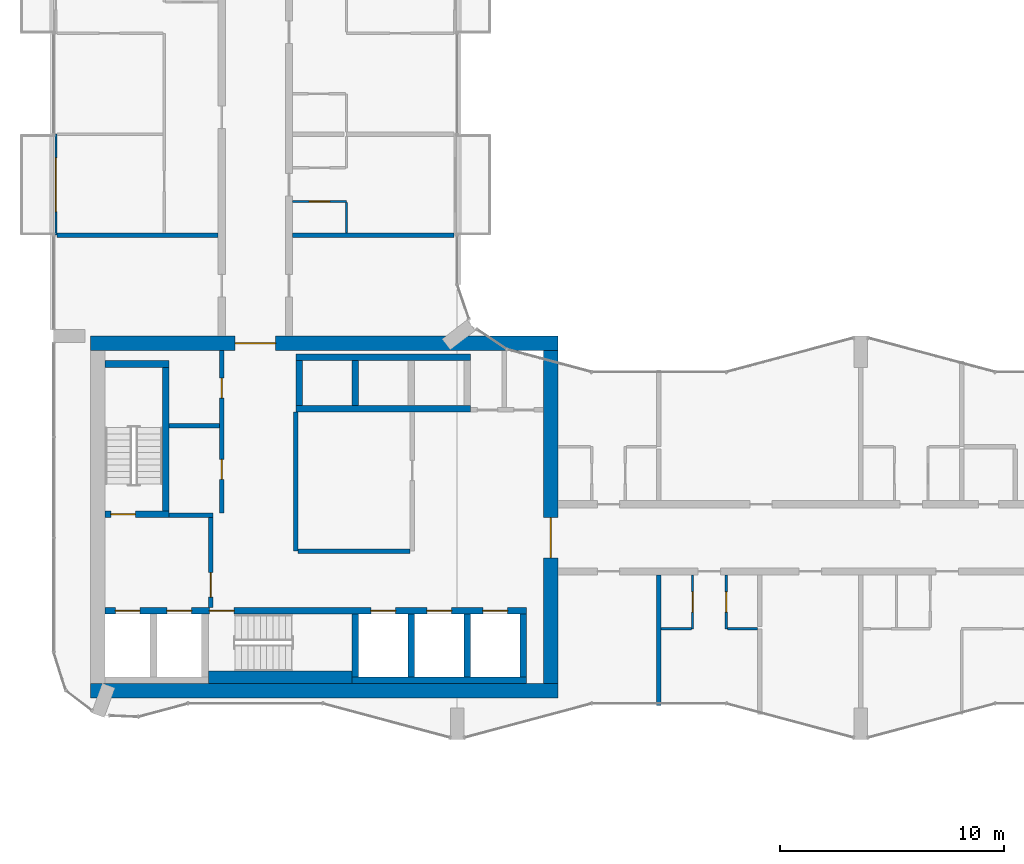
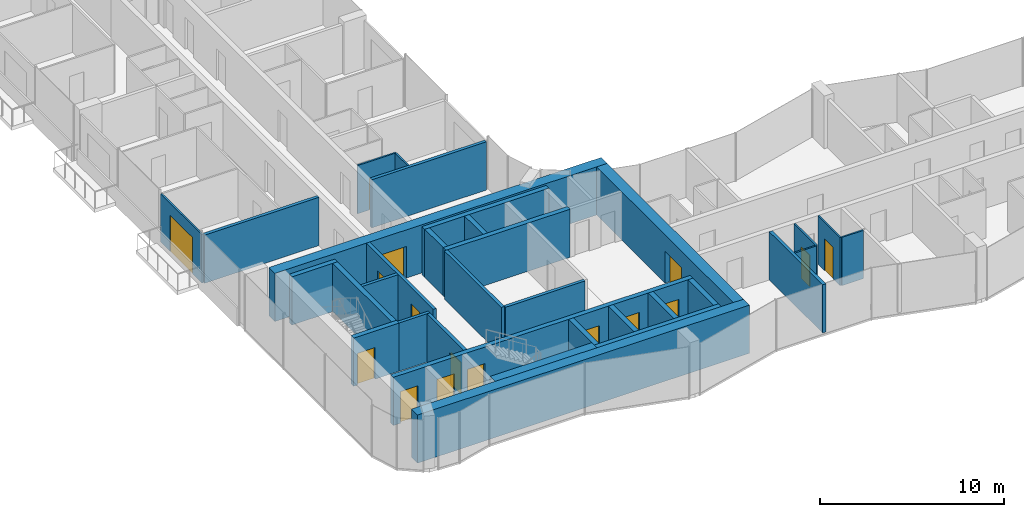
# One storey, part 11 of 19: 33 walls, 16 doors, 16 openings.
"""IFC4 building model written with IfcOpenShell, lengths in metres."""

import ifcopenshell
import ifcopenshell.guid

model = None  # the IFC model being written
_history = None  # IfcOwnerHistory: only IFC2X3 demands one
_inside = {}  # id of a spatial element -> (the spatial element, [elements in it])
_under = {}  # id of a project, library or spatial element -> (it, [spatial elements below it])
_declared = {}  # id of a project -> (the project, [libraries it declares])
_typed = {}  # id of a type object -> (the type object, [elements of that type])
_made_of = {}  # id of a material, layer set ... -> (it, [elements and type objects made of it])


def new_model(schema):
    """Start an empty IFC model of exactly this schema.

    Asked for "IFC4X3", IfcOpenShell would pick the latest addendum, in which some entities
    have other attributes; the version numbers below select the first issue.
    IFC2X3 requires an IfcOwnerHistory on every rooted entity: one is made here for all.
    """
    global model, _history
    if schema == "IFC4X3":
        model = ifcopenshell.file(schema_version=(4, 3, 0, 0))
    else:
        model = ifcopenshell.file(schema=schema)
    _inside.clear()
    _under.clear()
    _declared.clear()
    _typed.clear()
    _made_of.clear()
    _history = None
    if model.schema == "IFC2X3":
        org = make("IfcOrganization", Name="unknown")
        user = make(
            "IfcPersonAndOrganization",
            ThePerson=make("IfcPerson", FamilyName="unknown"),
            TheOrganization=org,
        )
        app = make(
            "IfcApplication",
            ApplicationDeveloper=org,
            Version="unknown",
            ApplicationFullName="unknown",
            ApplicationIdentifier="unknown",
        )
        _history = make(
            "IfcOwnerHistory",
            OwningUser=user,
            OwningApplication=app,
            ChangeAction="ADDED",
            CreationDate=0,
        )
    return model


def make(cls, **values):
    """One entity of the class cls with the attributes given. An attribute that is None is left unset."""
    return model.create_entity(
        cls, **{name: value for name, value in values.items() if value is not None}
    )


def rooted(cls, **values):
    """An entity with a GlobalId (a new one), such as an element, a storey or a relation."""
    return make(cls, GlobalId=ifcopenshell.guid.new(), OwnerHistory=_history, **values)


def si_unit(unit_type, name, prefix=None):
    """IfcSIUnit, for example si_unit("LENGTHUNIT", "METRE", prefix="MILLI")."""
    return make("IfcSIUnit", UnitType=unit_type, Prefix=prefix, Name=name)


def assignment(units):
    """IfcUnitAssignment: the units of a project."""
    return None if units is None else make("IfcUnitAssignment", Units=units)


def point(xyz):
    """IfcCartesianPoint."""
    return None if xyz is None else make("IfcCartesianPoint", Coordinates=xyz)


def direction(xyz):
    """IfcDirection."""
    return None if xyz is None else make("IfcDirection", DirectionRatios=xyz)


def frame(location, z_axis=None, x_axis=None):
    """IfcAxis2Placement3D, a coordinate frame: its origin and axes. An axis left out is left unset."""
    return make(
        "IfcAxis2Placement3D",
        Location=point(location),
        Axis=direction(z_axis),
        RefDirection=direction(x_axis),
    )


def frame_2d(location, x_axis=None):
    """IfcAxis2Placement2D, a coordinate frame in the plane: its origin and x axis."""
    return make(
        "IfcAxis2Placement2D", Location=point(location), RefDirection=direction(x_axis)
    )


def origin():
    """The frame at (0, 0, 0) with its axes left unset."""
    return frame((0.0, 0.0, 0.0))


def place(relative_to, where):
    """IfcLocalPlacement: puts the frame where relative to a parent placement (None: the world)."""
    return make(
        "IfcLocalPlacement", PlacementRelTo=relative_to, RelativePlacement=where
    )


def context(
    kind, dimensions, precision=None, world=None, true_north=None, identifier=None
):
    """IfcGeometricRepresentationContext, for example the 3D "Model" context."""
    return make(
        "IfcGeometricRepresentationContext",
        ContextIdentifier=identifier,
        ContextType=kind,
        CoordinateSpaceDimension=dimensions,
        Precision=precision,
        WorldCoordinateSystem=world,
        TrueNorth=true_north,
    )


def subcontext(parent, identifier, kind, view, scale=None):
    """IfcGeometricRepresentationSubContext, for example "Body" below "Model"."""
    return make(
        "IfcGeometricRepresentationSubContext",
        ContextIdentifier=identifier,
        ContextType=kind,
        ParentContext=parent,
        TargetScale=scale,
        TargetView=view,
    )


def project(units=None, contexts=None):
    """IfcProject with its units and contexts."""
    return rooted(
        "IfcProject",
        Name="project",
        RepresentationContexts=contexts,
        UnitsInContext=assignment(units),
    )


def spatial(cls, under=None, at=None, **own):
    """A site, building, storey or space (cls), placed at a placement, below another one or the project."""
    s = rooted(cls, ObjectPlacement=at, **own)
    if under is not None:
        _under.setdefault(under.id(), (under, []))[1].append(s)
    return s


def profile(cls, at=None, kind="AREA", **sizes):
    """A parametric profile (cls). Its sizes go by their IFC names, for example OverallWidth=200.0."""
    return make(cls, ProfileType=kind, Position=at, **sizes)


def rectangle(**sizes):
    """IfcRectangleProfileDef."""
    return profile("IfcRectangleProfileDef", **sizes)


def extrude(swept, where, along, depth):
    """IfcExtrudedAreaSolid: the profile swept, set in the frame where, extruded along a direction by depth."""
    return make(
        "IfcExtrudedAreaSolid",
        SweptArea=swept,
        Position=where,
        ExtrudedDirection=direction(along),
        Depth=depth,
    )


def shape(context_of_items, identifier, shape_type, items):
    """IfcShapeRepresentation: the items that make up one representation, for example the "Body"."""
    return make(
        "IfcShapeRepresentation",
        ContextOfItems=context_of_items,
        RepresentationIdentifier=identifier,
        RepresentationType=shape_type,
        Items=items,
    )


def material(Name=None, Category=None):
    """IfcMaterial."""
    return make("IfcMaterial", Name=Name, Category=Category)


def layer(
    of_material, thickness, ventilated=None, Name=None, Category=None, Priority=None
):
    """IfcMaterialLayer: one layer of a wall or slab, of a material (None: an air gap)."""
    return make(
        "IfcMaterialLayer",
        Material=of_material,
        LayerThickness=thickness,
        IsVentilated=ventilated,
        Name=Name,
        Category=Category,
        Priority=Priority,
    )


def layer_set(layers, Name=None):
    """IfcMaterialLayerSet."""
    return make("IfcMaterialLayerSet", MaterialLayers=layers, LayerSetName=Name)


def made_of(thing, what):
    """Note that an element or type object is made of a material, layer set ...; save() writes the relation."""
    if what is not None:
        _made_of.setdefault(what.id(), (what, []))[1].append(thing)
    return thing


def type_object(cls, material=None, **own):
    """A type object (cls), such as IfcWallType, which elements share."""
    return made_of(rooted(cls, **own), material)


def element(
    cls,
    number,
    at=None,
    inside=None,
    cuts=None,
    type_object=None,
    material=None,
    context=None,
    identifier="Body",
    shape_type=None,
    held_by="IfcProductDefinitionShape",
    body=None,
    shapes=None,
    **own,
):
    """One element of the class cls, such as IfcWall. Its Tag is "e" and its number.

    at: its placement. inside: the storey or other place that contains it. cuts: it is an
    opening in that element (IfcRelVoidsElement). A single representation is given by context,
    identifier, shape_type and body (its items); several are given by shapes. held_by: the class
    of the entity that holds the representations. save() writes the other relations.
    """
    e = rooted(cls, Tag="e%d" % number, ObjectPlacement=at, **own)
    if body is not None:
        shapes = [shape(context, identifier, shape_type, body)]
    if shapes is not None:
        e.Representation = make(held_by, Representations=shapes)
    if inside is not None:
        _inside.setdefault(inside.id(), (inside, []))[1].append(e)
    if cuts is not None:
        rooted(
            "IfcRelVoidsElement", RelatingBuildingElement=cuts, RelatedOpeningElement=e
        )
    if type_object is not None:
        _typed.setdefault(type_object.id(), (type_object, []))[1].append(e)
    return made_of(e, material)


def fill(opening, filler):
    """IfcRelFillsElement: the door or window that sits in an opening."""
    return rooted(
        "IfcRelFillsElement",
        RelatingOpeningElement=opening,
        RelatedBuildingElement=filler,
    )


def aggregate(whole, parts):
    """IfcRelAggregates: a whole, such as a stair, and the parts it consists of."""
    return rooted("IfcRelAggregates", RelatingObject=whole, RelatedObjects=parts)


def save(model, path):
    """Write the relations noted so far, then the file.

    IfcRelAggregates (storeys below a building ...), IfcRelContainedInSpatialStructure (elements
    in a storey), IfcRelDefinesByType, IfcRelAssociatesMaterial and IfcRelDeclares: one each for
    every whole, place, type object, material and project.
    """
    for whole, parts in _under.values():
        aggregate(whole, parts)
    for where, things in _inside.values():
        rooted(
            "IfcRelContainedInSpatialStructure",
            RelatedElements=things,
            RelatingStructure=where,
        )
    for kind, things in _typed.values():
        rooted("IfcRelDefinesByType", RelatedObjects=things, RelatingType=kind)
    for what, things in _made_of.values():
        rooted("IfcRelAssociatesMaterial", RelatedObjects=things, RelatingMaterial=what)
    for by, libraries in _declared.values():
        rooted("IfcRelDeclares", RelatingContext=by, RelatedDefinitions=libraries)
    model.write(path)


model = new_model("IFC4")

# Units and contexts
model_context = context("Model", 3, precision=1e-05, world=origin(), true_north=direction((0.0, 1.0)))
body_context = subcontext(model_context, "Body", "Model", "MODEL_VIEW")
ifc_project = project(units=[si_unit("LENGTHUNIT", "METRE"), si_unit("AREAUNIT", "SQUARE_METRE"), si_unit("VOLUMEUNIT", "CUBIC_METRE"), si_unit("PLANEANGLEUNIT", "RADIAN"), si_unit("MASSUNIT", "GRAM", prefix="KILO")], contexts=[model_context])

# Site, building, storey
site_placement = place(None, origin())
site = spatial("IfcSite", under=ifc_project, at=site_placement, CompositionType="ELEMENT")
building_placement = place(site_placement, origin())
building = spatial("IfcBuilding", under=site, at=building_placement, Name="Plateau Cross Towers", CompositionType="ELEMENT")
storey_placement = place(building_placement, frame((0.0, 0.0, 120.300048828125)))
storey = spatial("IfcBuildingStorey", under=building, at=storey_placement, Name="L31", CompositionType="ELEMENT", Elevation=120.300048828125)

# Wall, opening, door
ifc_material_1 = material(Name="Aluminium framed glazing", Category="aluminium")
ifc_layer_1 = layer(ifc_material_1, 0.10009765625)
ifc_layer_set_1 = layer_set([ifc_layer_1], Name="Aluminium framed glazing")
wall_type_1 = type_object("IfcWallType", Name="Balcony screen wall 100", PredefinedType="STANDARD", material=ifc_layer_set_1)
wall_1_placement = place(storey_placement, frame((0.10009765625, 22.5, 0.0), z_axis=(0.0, 0.0, 1.0), x_axis=(0.0, 1.0, 0.0)))
wall_1 = element("IfcWall", 1, at=wall_1_placement, inside=storey, type_object=wall_type_1, Name="Balcony screen wall A-BAL-L31-01", PredefinedType="STANDARD", context=body_context, shape_type="SweptSolid", body=[
    extrude(rectangle(XDim=4.5, YDim=0.10009765625, at=frame_2d((2.25, 0.0))), origin(), (0.0, 0.0, 1.0), 3.199951171875),
])
opening_1_placement = place(wall_1_placement, frame((1.050048828125, 0.0, 0.0)))
opening_1 = element("IfcOpeningElement", 2, at=opening_1_placement, cuts=wall_1, Name="Opening D-B24", PredefinedType="OPENING", context=body_context, shape_type="SweptSolid", body=[
    extrude(rectangle(XDim=2.39990234375, YDim=2.39990234375, at=frame_2d((1.199951171875, 1.199951171875))), frame((0.0, 0.06005859375, 0.0), z_axis=(0.0, -1.0, 0.0), x_axis=(1.0, 0.0, 0.0)), (0.0, 0.0, 1.0), 0.1201171875),
])
ifc_material_2 = material(Name="Aluminium frame, double glazing", Category="aluminium")
door_type_1 = type_object("IfcDoorType", Name="Balcony sliding door 2400", OperationType="NOTDEFINED", PredefinedType="DOOR", material=ifc_material_2)
door_1_placement = place(opening_1_placement, origin())
door_1 = element("IfcDoor", 3, at=door_1_placement, inside=storey, type_object=door_type_1, Name="Balcony door A-BAL-L31-01", OperationType="SINGLE_SWING_LEFT", OverallHeight=2.39990234375, OverallWidth=2.39990234375, PredefinedType="DOOR", context=body_context, shape_type="SweptSolid", body=[
    extrude(rectangle(XDim=2.39990234375, YDim=2.39990234375, at=frame_2d((1.199951171875, 1.199951171875))), frame((0.0, 0.02490234375, 0.0), z_axis=(0.0, -1.0, 0.0), x_axis=(1.0, 0.0, 0.0)), (0.0, 0.0, 1.0), 0.050048828125),
])
fill(opening_1, door_1)

ifc_material_3 = material(Name="Concrete block, plastered both sides", Category="concrete")
ifc_layer_2 = layer(ifc_material_3, 0.199951171875)
ifc_layer_set_2 = layer_set([ifc_layer_2], Name="Concrete block, plastered both sides")
wall_type_2 = type_object("IfcWallType", Name="Core partition 200", PredefinedType="PARTITIONING", material=ifc_layer_set_2)
wall_2_placement = place(storey_placement, frame((7.0, 5.89990234375, 0.0), z_axis=(0.0, 0.0, 1.0), x_axis=(0.0, 1.0, 0.0)))
wall_2 = element("IfcWall", 4, at=wall_2_placement, inside=storey, type_object=wall_type_2, Name="Core partition", PredefinedType="PARTITIONING", context=body_context, shape_type="SweptSolid", body=[
    extrude(rectangle(XDim=4.0, YDim=0.199951171875, at=frame_2d((2.0, 0.0))), origin(), (0.0, 0.0, 1.0), 3.199951171875),
])
opening_2_placement = place(wall_2_placement, frame((0.449951171875, 0.0, 0.0)))
opening_2 = element("IfcOpeningElement", 5, at=opening_2_placement, cuts=wall_2, Name="Opening FFD", PredefinedType="OPENING", context=body_context, shape_type="SweptSolid", body=[
    extrude(rectangle(XDim=1.10009765625, YDim=2.10009765625, at=frame_2d((0.550048828125, 1.050048828125))), frame((0.0, 0.10986328125, 0.0), z_axis=(0.0, -1.0, 0.0), x_axis=(1.0, 0.0, 0.0)), (0.0, 0.0, 1.0), 0.219970703125),
])
ifc_material_4 = material(Name="Steel, fire-resisting leaf", Category="steel")
door_type_2 = type_object("IfcDoorType", Name="Firefighting lobby door 1100", OperationType="NOTDEFINED", PredefinedType="DOOR", material=ifc_material_4)
door_2_placement = place(opening_2_placement, origin())
door_2 = element("IfcDoor", 6, at=door_2_placement, inside=storey, type_object=door_type_2, Name="Firefighting lobby door FFD", OperationType="SINGLE_SWING_LEFT", OverallHeight=2.10009765625, OverallWidth=1.10009765625, PredefinedType="DOOR", context=body_context, shape_type="SweptSolid", body=[
    extrude(rectangle(XDim=1.10009765625, YDim=2.10009765625, at=frame_2d((0.550048828125, 1.050048828125))), frame((0.0, 0.02490234375, 0.0), z_axis=(0.0, -1.0, 0.0), x_axis=(1.0, 0.0, 0.0)), (0.0, 0.0, 1.0), 0.050048828125),
])
fill(opening_2, door_2)

# Walls
wall_3_placement = place(storey_placement, frame((5.14990234375, 10.0, 0.0), z_axis=(0.0, 0.0, 1.0), x_axis=(1.0, 0.0, 0.0)))
element("IfcWall", 7, at=wall_3_placement, inside=storey, type_object=wall_type_2, Name="Core partition", PredefinedType="PARTITIONING", context=body_context, shape_type="SweptSolid", body=[
    extrude(rectangle(XDim=1.9501953125, YDim=0.199951171875, at=frame_2d((0.97509765625, 0.0))), origin(), (0.0, 0.0, 1.0), 3.199951171875),
])
wall_4_placement = place(storey_placement, frame((10.800048828125, 8.39990234375, 0.0), z_axis=(0.0, 0.0, 1.0), x_axis=(0.0, 1.0, 0.0)))
element("IfcWall", 8, at=wall_4_placement, inside=storey, type_object=wall_type_2, Name="Core partition", PredefinedType="PARTITIONING", context=body_context, shape_type="SweptSolid", body=[
    extrude(rectangle(XDim=6.2001953125, YDim=0.199951171875, at=frame_2d((3.10009765625, 0.0))), origin(), (0.0, 0.0, 1.0), 3.199951171875),
])
wall_5_placement = place(storey_placement, frame((10.89990234375, 8.39990234375, 0.0), z_axis=(0.0, 0.0, 1.0), x_axis=(1.0, 0.0, 0.0)))
element("IfcWall", 9, at=wall_5_placement, inside=storey, type_object=wall_type_2, Name="Core partition", PredefinedType="PARTITIONING", context=body_context, shape_type="SweptSolid", body=[
    extrude(rectangle(XDim=5.0, YDim=0.199951171875, at=frame_2d((2.5, 0.0))), origin(), (0.0, 0.0, 1.0), 3.199951171875),
])

# Wall, openings, doors
wall_6_placement = place(storey_placement, frame((7.5, 10.10009765625, 0.0), z_axis=(0.0, 0.0, 1.0), x_axis=(0.0, 1.0, 0.0)))
wall_6 = element("IfcWall", 10, at=wall_6_placement, inside=storey, type_object=wall_type_2, Name="Core partition", PredefinedType="PARTITIONING", context=body_context, shape_type="SweptSolid", body=[
    extrude(rectangle(XDim=7.25, YDim=0.199951171875, at=frame_2d((3.625, 0.0))), origin(), (0.0, 0.0, 1.0), 3.199951171875),
])
opening_3_placement = place(wall_6_placement, frame((1.5, 0.0, 0.0)))
opening_3 = element("IfcOpeningElement", 11, at=opening_3_placement, cuts=wall_6, Name="Opening RD1", PredefinedType="OPENING", context=body_context, shape_type="SweptSolid", body=[
    extrude(rectangle(XDim=0.89990234375, YDim=2.10009765625, at=frame_2d((0.449951171875, 1.050048828125))), frame((0.0, 0.10986328125, 0.0), z_axis=(0.0, -1.0, 0.0), x_axis=(1.0, 0.0, 0.0)), (0.0, 0.0, 1.0), 0.219970703125),
])
opening_4_placement = place(wall_6_placement, frame((5.125, 0.0, 0.0)))
opening_4 = element("IfcOpeningElement", 12, at=opening_4_placement, cuts=wall_6, Name="Opening RD1", PredefinedType="OPENING", context=body_context, shape_type="SweptSolid", body=[
    extrude(rectangle(XDim=0.89990234375, YDim=2.10009765625, at=frame_2d((0.449951171875, 1.050048828125))), frame((0.0, 0.10986328125, 0.0), z_axis=(0.0, -1.0, 0.0), x_axis=(1.0, 0.0, 0.0)), (0.0, 0.0, 1.0), 0.219970703125),
])
ifc_material_5 = material(Name="Timber, fire-resisting leaf", Category="wood")
door_type_3 = type_object("IfcDoorType", Name="Core service door 900", OperationType="NOTDEFINED", PredefinedType="DOOR", material=ifc_material_5)
door_3_placement = place(opening_3_placement, origin())
door_3 = element("IfcDoor", 13, at=door_3_placement, inside=storey, type_object=door_type_3, Name="Core service door RD1", OperationType="SINGLE_SWING_RIGHT", OverallHeight=2.10009765625, OverallWidth=0.89990234375, PredefinedType="DOOR", context=body_context, shape_type="SweptSolid", body=[
    extrude(rectangle(XDim=0.89990234375, YDim=2.10009765625, at=frame_2d((0.449951171875, 1.050048828125))), frame((0.0, 0.02490234375, 0.0), z_axis=(0.0, -1.0, 0.0), x_axis=(1.0, 0.0, 0.0)), (0.0, 0.0, 1.0), 0.050048828125),
])
fill(opening_3, door_3)
door_4_placement = place(opening_4_placement, origin())
door_4 = element("IfcDoor", 14, at=door_4_placement, inside=storey, type_object=door_type_3, Name="Core service door RD1", OperationType="SINGLE_SWING_RIGHT", OverallHeight=2.10009765625, OverallWidth=0.89990234375, PredefinedType="DOOR", context=body_context, shape_type="SweptSolid", body=[
    extrude(rectangle(XDim=0.89990234375, YDim=2.10009765625, at=frame_2d((0.449951171875, 1.050048828125))), frame((0.0, 0.02490234375, 0.0), z_axis=(0.0, -1.0, 0.0), x_axis=(1.0, 0.0, 0.0)), (0.0, 0.0, 1.0), 0.050048828125),
])
fill(opening_4, door_4)

# Walls
wall_7_placement = place(storey_placement, frame((5.14990234375, 14.0, 0.0), z_axis=(0.0, 0.0, 1.0), x_axis=(1.0, 0.0, 0.0)))
element("IfcWall", 15, at=wall_7_placement, inside=storey, type_object=wall_type_2, Name="Core partition", PredefinedType="PARTITIONING", context=body_context, shape_type="SweptSolid", body=[
    extrude(rectangle(XDim=2.25, YDim=0.199951171875, at=frame_2d((1.125, 0.0))), origin(), (0.0, 0.0, 1.0), 3.199951171875),
])
ifc_material_6 = material(Name="Concrete C60/75", Category="concrete")
ifc_layer_3 = layer(ifc_material_6, 0.300048828125)
ifc_layer_set_3 = layer_set([ifc_layer_3], Name="Concrete C60/75")
wall_type_3 = type_object("IfcWallType", Name="Core shaft wall 300", PredefinedType="SHEAR", material=ifc_layer_set_3)
wall_8_placement = place(storey_placement, frame((13.300048828125, 2.64990234375, 0.0), z_axis=(0.0, 0.0, 1.0), x_axis=(1.0, 0.0, 0.0)))
element("IfcWall", 16, at=wall_8_placement, inside=storey, type_object=wall_type_3, Name="A-sb-back3@L31", PredefinedType="SHEAR", context=body_context, shape_type="SweptSolid", body=[
    extrude(rectangle(XDim=7.800048828125, YDim=0.300048828125, at=frame_2d((3.89990234375, 0.0))), origin(), (0.0, 0.0, 1.0), 3.199951171875),
])
for number, where, z_axis, x_axis, name in (
    (17, (13.449951171875, 2.800048828125, 0.0), (0.0, 0.0, 1.0), (0.0, 1.0, 0.0), "A-sb-v3@L31"),
    (18, (15.949951171875, 2.800048828125, 0.0), (0.0, 0.0, 1.0), (0.0, 1.0, 0.0), "A-sb-v4@L31"),
    (19, (18.449951171875, 2.800048828125, 0.0), (0.0, 0.0, 1.0), (0.0, 1.0, 0.0), "A-sb-v5@L31"),
    (20, (20.949951171875, 2.800048828125, 0.0), (0.0, 0.0, 1.0), (0.0, 1.0, 0.0), "A-sb-v6@L31"),
):
    element("IfcWall", number, at=place(storey_placement, frame(where, z_axis=z_axis, x_axis=x_axis)), inside=storey, type_object=wall_type_3, Name=name, PredefinedType="SHEAR", context=body_context, shape_type="SweptSolid", body=[
        extrude(rectangle(XDim=2.800048828125, YDim=0.300048828125, at=frame_2d((1.39990234375, 0.0))), origin(), (0.0, 0.0, 1.0), 3.199951171875),
    ])

# Wall, openings, doors
wall_9_placement = place(storey_placement, frame((2.300048828125, 5.75, 0.0), z_axis=(0.0, 0.0, 1.0), x_axis=(1.0, 0.0, 0.0)))
wall_9 = element("IfcWall", 21, at=wall_9_placement, inside=storey, type_object=wall_type_3, Name="A-sb-front@L31", PredefinedType="SHEAR", context=body_context, shape_type="SweptSolid", body=[
    extrude(rectangle(XDim=18.800048828125, YDim=0.300048828125, at=frame_2d((9.39990234375, 0.0))), origin(), (0.0, 0.0, 1.0), 3.199951171875),
])
opening_5_placement = place(wall_9_placement, frame((4.64990234375, 0.0, 0.0)))
opening_5 = element("IfcOpeningElement", 22, at=opening_5_placement, cuts=wall_9, Name="Opening SD", PredefinedType="OPENING", context=body_context, shape_type="SweptSolid", body=[
    extrude(rectangle(XDim=1.10009765625, YDim=2.10009765625, at=frame_2d((0.550048828125, 1.050048828125))), frame((0.0, 0.159912109375, 0.0), z_axis=(0.0, -1.0, 0.0), x_axis=(1.0, 0.0, 0.0)), (0.0, 0.0, 1.0), 0.320068359375),
])
opening_6_placement = place(wall_9_placement, frame((0.449951171875, 0.0, 0.0)))
opening_6 = element("IfcOpeningElement", 23, at=opening_6_placement, cuts=wall_9, Name="Opening LD", PredefinedType="OPENING", context=body_context, shape_type="SweptSolid", body=[
    extrude(rectangle(XDim=1.10009765625, YDim=2.10009765625, at=frame_2d((0.550048828125, 1.050048828125))), frame((0.0, 0.159912109375, 0.0), z_axis=(0.0, -1.0, 0.0), x_axis=(1.0, 0.0, 0.0)), (0.0, 0.0, 1.0), 0.320068359375),
])
opening_7_placement = place(wall_9_placement, frame((2.75, 0.0, 0.0)))
opening_7 = element("IfcOpeningElement", 24, at=opening_7_placement, cuts=wall_9, Name="Opening LD", PredefinedType="OPENING", context=body_context, shape_type="SweptSolid", body=[
    extrude(rectangle(XDim=1.10009765625, YDim=2.10009765625, at=frame_2d((0.550048828125, 1.050048828125))), frame((0.0, 0.159912109375, 0.0), z_axis=(0.0, -1.0, 0.0), x_axis=(1.0, 0.0, 0.0)), (0.0, 0.0, 1.0), 0.320068359375),
])
opening_8_placement = place(wall_9_placement, frame((11.85009765625, 0.0, 0.0)))
opening_8 = element("IfcOpeningElement", 25, at=opening_8_placement, cuts=wall_9, Name="Opening LD", PredefinedType="OPENING", context=body_context, shape_type="SweptSolid", body=[
    extrude(rectangle(XDim=1.10009765625, YDim=2.10009765625, at=frame_2d((0.550048828125, 1.050048828125))), frame((0.0, 0.159912109375, 0.0), z_axis=(0.0, -1.0, 0.0), x_axis=(1.0, 0.0, 0.0)), (0.0, 0.0, 1.0), 0.320068359375),
])
opening_9_placement = place(wall_9_placement, frame((14.35009765625, 0.0, 0.0)))
opening_9 = element("IfcOpeningElement", 26, at=opening_9_placement, cuts=wall_9, Name="Opening LD", PredefinedType="OPENING", context=body_context, shape_type="SweptSolid", body=[
    extrude(rectangle(XDim=1.10009765625, YDim=2.10009765625, at=frame_2d((0.550048828125, 1.050048828125))), frame((0.0, 0.159912109375, 0.0), z_axis=(0.0, -1.0, 0.0), x_axis=(1.0, 0.0, 0.0)), (0.0, 0.0, 1.0), 0.320068359375),
])
opening_10_placement = place(wall_9_placement, frame((16.85009765625, 0.0, 0.0)))
opening_10 = element("IfcOpeningElement", 27, at=opening_10_placement, cuts=wall_9, Name="Opening LD", PredefinedType="OPENING", context=body_context, shape_type="SweptSolid", body=[
    extrude(rectangle(XDim=1.10009765625, YDim=2.10009765625, at=frame_2d((0.550048828125, 1.050048828125))), frame((0.0, 0.159912109375, 0.0), z_axis=(0.0, -1.0, 0.0), x_axis=(1.0, 0.0, 0.0)), (0.0, 0.0, 1.0), 0.320068359375),
])
ifc_material_7 = material(Name="Stainless steel, fire-resisting sliding leaves", Category="steel")
door_type_4 = type_object("IfcDoorType", Name="Lift landing door 1100", OperationType="NOTDEFINED", PredefinedType="DOOR", material=ifc_material_7)
door_5_placement = place(opening_6_placement, origin())
door_5 = element("IfcDoor", 28, at=door_5_placement, inside=storey, type_object=door_type_4, Name="Lift landing door LD", OperationType="DOUBLE_DOOR_SLIDING", OverallHeight=2.10009765625, OverallWidth=1.10009765625, PredefinedType="DOOR", context=body_context, shape_type="SweptSolid", body=[
    extrude(rectangle(XDim=1.10009765625, YDim=2.10009765625, at=frame_2d((0.550048828125, 1.050048828125))), frame((0.0, 0.02490234375, 0.0), z_axis=(0.0, -1.0, 0.0), x_axis=(1.0, 0.0, 0.0)), (0.0, 0.0, 1.0), 0.050048828125),
])
fill(opening_6, door_5)
door_6_placement = place(opening_7_placement, origin())
door_6 = element("IfcDoor", 29, at=door_6_placement, inside=storey, type_object=door_type_4, Name="Lift landing door LD", OperationType="DOUBLE_DOOR_SLIDING", OverallHeight=2.10009765625, OverallWidth=1.10009765625, PredefinedType="DOOR", context=body_context, shape_type="SweptSolid", body=[
    extrude(rectangle(XDim=1.10009765625, YDim=2.10009765625, at=frame_2d((0.550048828125, 1.050048828125))), frame((0.0, 0.02490234375, 0.0), z_axis=(0.0, -1.0, 0.0), x_axis=(1.0, 0.0, 0.0)), (0.0, 0.0, 1.0), 0.050048828125),
])
fill(opening_7, door_6)
door_7_placement = place(opening_8_placement, origin())
door_7 = element("IfcDoor", 30, at=door_7_placement, inside=storey, type_object=door_type_4, Name="Lift landing door LD", OperationType="DOUBLE_DOOR_SLIDING", OverallHeight=2.10009765625, OverallWidth=1.10009765625, PredefinedType="DOOR", context=body_context, shape_type="SweptSolid", body=[
    extrude(rectangle(XDim=1.10009765625, YDim=2.10009765625, at=frame_2d((0.550048828125, 1.050048828125))), frame((0.0, 0.02490234375, 0.0), z_axis=(0.0, -1.0, 0.0), x_axis=(1.0, 0.0, 0.0)), (0.0, 0.0, 1.0), 0.050048828125),
])
fill(opening_8, door_7)
door_8_placement = place(opening_9_placement, origin())
door_8 = element("IfcDoor", 31, at=door_8_placement, inside=storey, type_object=door_type_4, Name="Lift landing door LD", OperationType="DOUBLE_DOOR_SLIDING", OverallHeight=2.10009765625, OverallWidth=1.10009765625, PredefinedType="DOOR", context=body_context, shape_type="SweptSolid", body=[
    extrude(rectangle(XDim=1.10009765625, YDim=2.10009765625, at=frame_2d((0.550048828125, 1.050048828125))), frame((0.0, 0.02490234375, 0.0), z_axis=(0.0, -1.0, 0.0), x_axis=(1.0, 0.0, 0.0)), (0.0, 0.0, 1.0), 0.050048828125),
])
fill(opening_9, door_8)
door_9_placement = place(opening_10_placement, origin())
door_9 = element("IfcDoor", 32, at=door_9_placement, inside=storey, type_object=door_type_4, Name="Lift landing door LD", OperationType="DOUBLE_DOOR_SLIDING", OverallHeight=2.10009765625, OverallWidth=1.10009765625, PredefinedType="DOOR", context=body_context, shape_type="SweptSolid", body=[
    extrude(rectangle(XDim=1.10009765625, YDim=2.10009765625, at=frame_2d((0.550048828125, 1.050048828125))), frame((0.0, 0.02490234375, 0.0), z_axis=(0.0, -1.0, 0.0), x_axis=(1.0, 0.0, 0.0)), (0.0, 0.0, 1.0), 0.050048828125),
])
fill(opening_10, door_9)
door_type_5 = type_object("IfcDoorType", Name="Stair door 1100", OperationType="NOTDEFINED", PredefinedType="DOOR", material=ifc_material_4)
door_10_placement = place(opening_5_placement, origin())
door_10 = element("IfcDoor", 33, at=door_10_placement, inside=storey, type_object=door_type_5, Name="Stair door SD", OperationType="SINGLE_SWING_LEFT", OverallHeight=2.10009765625, OverallWidth=1.10009765625, PredefinedType="DOOR", context=body_context, shape_type="SweptSolid", body=[
    extrude(rectangle(XDim=1.10009765625, YDim=2.10009765625, at=frame_2d((0.550048828125, 1.050048828125))), frame((0.0, 0.02490234375, 0.0), z_axis=(0.0, -1.0, 0.0), x_axis=(1.0, 0.0, 0.0)), (0.0, 0.0, 1.0), 0.050048828125),
])
fill(opening_5, door_10)

# Wall, opening, door
wall_10_placement = place(storey_placement, frame((2.300048828125, 10.050048828125, 0.0), z_axis=(0.0, 0.0, 1.0), x_axis=(1.0, 0.0, 0.0)))
wall_10 = element("IfcWall", 34, at=wall_10_placement, inside=storey, type_object=wall_type_3, Name="A-st1-S@L31", PredefinedType="SHEAR", context=body_context, shape_type="SweptSolid", body=[
    extrude(rectangle(XDim=2.849853515625, YDim=0.300048828125, at=frame_2d((1.4248046875, 0.0))), origin(), (0.0, 0.0, 1.0), 3.199951171875),
])
opening_11_placement = place(wall_10_placement, frame((0.25, 0.0, 0.0)))
opening_11 = element("IfcOpeningElement", 35, at=opening_11_placement, cuts=wall_10, Name="Opening SD", PredefinedType="OPENING", context=body_context, shape_type="SweptSolid", body=[
    extrude(rectangle(XDim=1.10009765625, YDim=2.10009765625, at=frame_2d((0.550048828125, 1.050048828125))), frame((0.0, 0.159912109375, 0.0), z_axis=(0.0, -1.0, 0.0), x_axis=(1.0, 0.0, 0.0)), (0.0, 0.0, 1.0), 0.320068359375),
])
door_11_placement = place(opening_11_placement, origin())
door_11 = element("IfcDoor", 36, at=door_11_placement, inside=storey, type_object=door_type_5, Name="Stair door SD", OperationType="SINGLE_SWING_RIGHT", OverallHeight=2.10009765625, OverallWidth=1.10009765625, PredefinedType="DOOR", context=body_context, shape_type="SweptSolid", body=[
    extrude(rectangle(XDim=1.10009765625, YDim=2.10009765625, at=frame_2d((0.550048828125, 1.050048828125))), frame((0.0, 0.02490234375, 0.0), z_axis=(0.0, -1.0, 0.0), x_axis=(1.0, 0.0, 0.0)), (0.0, 0.0, 1.0), 0.050048828125),
])
fill(opening_11, door_11)

# Walls
wall_11_placement = place(storey_placement, frame((5.0, 10.199951171875, 0.0), z_axis=(0.0, 0.0, 1.0), x_axis=(0.0, 1.0, 0.0)))
element("IfcWall", 37, at=wall_11_placement, inside=storey, type_object=wall_type_3, Name="A-st1-E@L31", PredefinedType="SHEAR", context=body_context, shape_type="SweptSolid", body=[
    extrude(rectangle(XDim=6.400146484375, YDim=0.300048828125, at=frame_2d((3.2001953125, 0.0))), origin(), (0.0, 0.0, 1.0), 3.199951171875),
])
wall_12_placement = place(storey_placement, frame((2.300048828125, 16.75, 0.0), z_axis=(0.0, 0.0, 1.0), x_axis=(1.0, 0.0, 0.0)))
element("IfcWall", 38, at=wall_12_placement, inside=storey, type_object=wall_type_3, Name="A-st1-N@L31", PredefinedType="SHEAR", context=body_context, shape_type="SweptSolid", body=[
    extrude(rectangle(XDim=2.849853515625, YDim=0.300048828125, at=frame_2d((1.4248046875, 0.0))), origin(), (0.0, 0.0, 1.0), 3.199951171875),
])
for number, where, z_axis, x_axis, name in (
    (39, (10.800048828125, 17.050048828125, 0.0), (0.0, 0.0, 1.0), (1.0, 0.0, 0.0), "A-nb-back@L31"),
    (40, (10.800048828125, 14.75, 0.0), (0.0, 0.0, 1.0), (1.0, 0.0, 0.0), "A-nb-front@L31"),
):
    element("IfcWall", number, at=place(storey_placement, frame(where, z_axis=z_axis, x_axis=x_axis)), inside=storey, type_object=wall_type_3, Name=name, PredefinedType="SHEAR", context=body_context, shape_type="SweptSolid", body=[
        extrude(rectangle(XDim=7.800048828125, YDim=0.300048828125, at=frame_2d((3.89990234375, 0.0))), origin(), (0.0, 0.0, 1.0), 3.199951171875),
    ])
for number, where, z_axis, x_axis, name in (
    (41, (10.949951171875, 14.89990234375, 0.0), (0.0, 0.0, 1.0), (0.0, 1.0, 0.0), "A-nb-v1@L31"),
    (42, (13.449951171875, 14.89990234375, 0.0), (0.0, 0.0, 1.0), (0.0, 1.0, 0.0), "A-nb-v2@L31"),
):
    element("IfcWall", number, at=place(storey_placement, frame(where, z_axis=z_axis, x_axis=x_axis)), inside=storey, type_object=wall_type_3, Name=name, PredefinedType="SHEAR", context=body_context, shape_type="SweptSolid", body=[
        extrude(rectangle(XDim=2.0, YDim=0.300048828125, at=frame_2d((1.0, 0.0))), origin(), (0.0, 0.0, 1.0), 3.199951171875),
    ])
ifc_layer_4 = layer(ifc_material_6, 0.550048828125)
ifc_layer_set_4 = layer_set([ifc_layer_4], Name="Concrete C60/75")
wall_type_4 = type_object("IfcWallType", Name="Core shaft wall 550", PredefinedType="SHEAR", material=ifc_layer_set_4)
wall_13_placement = place(storey_placement, frame((6.89990234375, 2.77490234375, 0.0), z_axis=(0.0, 0.0, 1.0), x_axis=(1.0, 0.0, 0.0)))
element("IfcWall", 43, at=wall_13_placement, inside=storey, type_object=wall_type_4, Name="A-sb-back2@L31", PredefinedType="SHEAR", context=body_context, shape_type="SweptSolid", body=[
    extrude(rectangle(XDim=6.400146484375, YDim=0.550048828125, at=frame_2d((3.2001953125, 0.0))), origin(), (0.0, 0.0, 1.0), 3.199951171875),
])
ifc_layer_5 = layer(ifc_material_6, 0.64990234375)
ifc_layer_set_5 = layer_set([ifc_layer_5], Name="Concrete C60/75")
wall_type_5 = type_object("IfcWallType", Name="Core shell wall 650", PredefinedType="SHEAR", material=ifc_layer_set_5)
wall_14_placement = place(storey_placement, frame((1.64990234375, 2.175048828125, 0.0), z_axis=(0.0, 0.0, 1.0), x_axis=(1.0, 0.0, 0.0)))
element("IfcWall", 44, at=wall_14_placement, inside=storey, type_object=wall_type_5, Name="A-core-S@L31", PredefinedType="SHEAR", context=body_context, shape_type="SweptSolid", body=[
    extrude(rectangle(XDim=20.85009765625, YDim=0.64990234375, at=frame_2d((10.425048828125, 0.0))), origin(), (0.0, 0.0, 1.0), 3.199951171875),
])

# Wall, opening, door
wall_15_placement = place(storey_placement, frame((1.64990234375, 17.675048828125, 0.0), z_axis=(0.0, 0.0, 1.0), x_axis=(1.0, 0.0, 0.0)))
wall_15 = element("IfcWall", 45, at=wall_15_placement, inside=storey, type_object=wall_type_5, Name="A-core-N@L31", PredefinedType="SHEAR", context=body_context, shape_type="SweptSolid", body=[
    extrude(rectangle(XDim=20.85009765625, YDim=0.64990234375, at=frame_2d((10.425048828125, 0.0))), origin(), (0.0, 0.0, 1.0), 3.199951171875),
])
opening_12_placement = place(wall_15_placement, frame((6.449951171875, 0.0, 0.0)))
opening_12 = element("IfcOpeningElement", 46, at=opening_12_placement, cuts=wall_15, Name="Opening CD", PredefinedType="OPENING", context=body_context, shape_type="SweptSolid", body=[
    extrude(rectangle(XDim=1.800048828125, YDim=2.10009765625, at=frame_2d((0.89990234375, 1.050048828125))), frame((0.0, 0.3349609375, 0.0), z_axis=(0.0, -1.0, 0.0), x_axis=(1.0, 0.0, 0.0)), (0.0, 0.0, 1.0), 0.669921875),
])
ifc_material_8 = material(Name="Steel, fire-resisting leaves", Category="steel")
door_type_6 = type_object("IfcDoorType", Name="Corridor door pair 1800", OperationType="NOTDEFINED", PredefinedType="DOOR", material=ifc_material_8)
door_12_placement = place(opening_12_placement, origin())
door_12 = element("IfcDoor", 47, at=door_12_placement, inside=storey, type_object=door_type_6, Name="Corridor door pair CD", OperationType="DOUBLE_DOOR_SINGLE_SWING", OverallHeight=2.10009765625, OverallWidth=1.800048828125, PredefinedType="DOOR", context=body_context, shape_type="SweptSolid", body=[
    extrude(rectangle(XDim=1.800048828125, YDim=2.10009765625, at=frame_2d((0.89990234375, 1.050048828125))), frame((0.0, 0.02490234375, 0.0), z_axis=(0.0, -1.0, 0.0), x_axis=(1.0, 0.0, 0.0)), (0.0, 0.0, 1.0), 0.050048828125),
])
fill(opening_12, door_12)

wall_16_placement = place(storey_placement, frame((22.175048828125, 2.5, 0.0), z_axis=(0.0, 0.0, 1.0), x_axis=(0.0, 1.0, 0.0)))
wall_16 = element("IfcWall", 48, at=wall_16_placement, inside=storey, type_object=wall_type_5, Name="A-core-E@L31", PredefinedType="SHEAR", context=body_context, shape_type="SweptSolid", body=[
    extrude(rectangle(XDim=14.85009765625, YDim=0.64990234375, at=frame_2d((7.425048828125, 0.0))), origin(), (0.0, 0.0, 1.0), 3.199951171875),
])
opening_13_placement = place(wall_16_placement, frame((5.60009765625, 0.0, 0.0)))
opening_13 = element("IfcOpeningElement", 49, at=opening_13_placement, cuts=wall_16, Name="Opening CD", PredefinedType="OPENING", context=body_context, shape_type="SweptSolid", body=[
    extrude(rectangle(XDim=1.800048828125, YDim=2.10009765625, at=frame_2d((0.89990234375, 1.050048828125))), frame((0.0, 0.3349609375, 0.0), z_axis=(0.0, -1.0, 0.0), x_axis=(1.0, 0.0, 0.0)), (0.0, 0.0, 1.0), 0.669921875),
])
door_13_placement = place(opening_13_placement, origin())
door_13 = element("IfcDoor", 50, at=door_13_placement, inside=storey, type_object=door_type_6, Name="Corridor door pair CD", OperationType="DOUBLE_DOOR_SINGLE_SWING", OverallHeight=2.10009765625, OverallWidth=1.800048828125, PredefinedType="DOOR", context=body_context, shape_type="SweptSolid", body=[
    extrude(rectangle(XDim=1.800048828125, YDim=2.10009765625, at=frame_2d((0.89990234375, 1.050048828125))), frame((0.0, 0.02490234375, 0.0), z_axis=(0.0, -1.0, 0.0), x_axis=(1.0, 0.0, 0.0)), (0.0, 0.0, 1.0), 0.050048828125),
])
fill(opening_13, door_13)

# Walls
ifc_material_9 = material(Name="Gypsum board on steel studs", Category="steel")
ifc_layer_6 = layer(ifc_material_9, 0.10009765625)
ifc_layer_set_6 = layer_set([ifc_layer_6], Name="Gypsum board on steel studs")
wall_type_6 = type_object("IfcWallType", Name="Flat partition 100", PredefinedType="PARTITIONING", material=ifc_layer_set_6)
for number, where, z_axis, x_axis, name in (
    (51, (27.10009765625, 4.9375, 0.0), (0.0, 0.0, 1.0), (1.0, 0.0, 0.0), "Partition wall"),
    (52, (30.050048828125, 4.9375, 0.0), (0.0, 0.0, 1.0), (1.0, 0.0, 0.0), "Partition wall"),
):
    element("IfcWall", number, at=place(storey_placement, frame(where, z_axis=z_axis, x_axis=x_axis)), inside=storey, type_object=wall_type_6, Name=name, PredefinedType="PARTITIONING", context=body_context, shape_type="SweptSolid", body=[
        extrude(rectangle(XDim=1.349853515625, YDim=0.10009765625, at=frame_2d((0.6748046875, 0.0))), origin(), (0.0, 0.0, 1.0), 3.199951171875),
    ])

# Wall, opening, door
wall_17_placement = place(storey_placement, frame((13.0625, 24.0, 0.0), z_axis=(0.0, 0.0, 1.0), x_axis=(-1.0, 0.0, 0.0)))
wall_17 = element("IfcWall", 53, at=wall_17_placement, inside=storey, type_object=wall_type_6, Name="Partition wall", PredefinedType="PARTITIONING", context=body_context, shape_type="SweptSolid", body=[
    extrude(rectangle(XDim=2.39990234375, YDim=0.10009765625, at=frame_2d((1.199951171875, 0.0))), origin(), (0.0, 0.0, 1.0), 3.199951171875),
])
opening_14_placement = place(wall_17_placement, frame((0.75, 0.0, 0.0)))
opening_14 = element("IfcOpeningElement", 54, at=opening_14_placement, cuts=wall_17, Name="Opening 31-39", PredefinedType="OPENING", context=body_context, shape_type="SweptSolid", body=[
    extrude(rectangle(XDim=0.89990234375, YDim=2.10009765625, at=frame_2d((0.449951171875, 1.050048828125))), frame((0.0, 0.06005859375, 0.0), z_axis=(0.0, -1.0, 0.0), x_axis=(1.0, 0.0, 0.0)), (0.0, 0.0, 1.0), 0.1201171875),
])
ifc_material_10 = material(Name="Timber leaf", Category="wood")
door_type_7 = type_object("IfcDoorType", Name="Flat room door 900", OperationType="NOTDEFINED", PredefinedType="DOOR", material=ifc_material_10)
door_14_placement = place(opening_14_placement, origin())
door_14 = element("IfcDoor", 55, at=door_14_placement, inside=storey, type_object=door_type_7, Name="Door 31-39", OperationType="SINGLE_SWING_LEFT", OverallHeight=2.10009765625, OverallWidth=0.89990234375, PredefinedType="DOOR", context=body_context, shape_type="SweptSolid", body=[
    extrude(rectangle(XDim=0.89990234375, YDim=2.10009765625, at=frame_2d((0.449951171875, 1.050048828125))), frame((0.0, 0.02490234375, 0.0), z_axis=(0.0, -1.0, 0.0), x_axis=(1.0, 0.0, 0.0)), (0.0, 0.0, 1.0), 0.050048828125),
])
fill(opening_14, door_14)

# Wall
wall_18_placement = place(storey_placement, frame((13.0625, 22.60009765625, 0.0), z_axis=(0.0, 0.0, 1.0), x_axis=(0.0, 1.0, 0.0)))
element("IfcWall", 56, at=wall_18_placement, inside=storey, type_object=wall_type_6, Name="Partition wall", PredefinedType="PARTITIONING", context=body_context, shape_type="SweptSolid", body=[
    extrude(rectangle(XDim=1.349853515625, YDim=0.10009765625, at=frame_2d((0.6748046875, 0.0))), origin(), (0.0, 0.0, 1.0), 3.199951171875),
])

# Wall, opening, door
wall_19_placement = place(storey_placement, frame((28.5, 4.9375, 0.0), z_axis=(0.0, 0.0, 1.0), x_axis=(0.0, 1.0, 0.0)))
wall_19 = element("IfcWall", 57, at=wall_19_placement, inside=storey, type_object=wall_type_6, Name="Partition wall", PredefinedType="PARTITIONING", context=body_context, shape_type="SweptSolid", body=[
    extrude(rectangle(XDim=2.39990234375, YDim=0.10009765625, at=frame_2d((1.199951171875, 0.0))), origin(), (0.0, 0.0, 1.0), 3.199951171875),
])
opening_15_placement = place(wall_19_placement, frame((0.75, 0.0, 0.0)))
opening_15 = element("IfcOpeningElement", 58, at=opening_15_placement, cuts=wall_19, Name="Opening 31-19", PredefinedType="OPENING", context=body_context, shape_type="SweptSolid", body=[
    extrude(rectangle(XDim=0.89990234375, YDim=2.10009765625, at=frame_2d((0.449951171875, 1.050048828125))), frame((0.0, 0.06005859375, 0.0), z_axis=(0.0, -1.0, 0.0), x_axis=(1.0, 0.0, 0.0)), (0.0, 0.0, 1.0), 0.1201171875),
])
door_15_placement = place(opening_15_placement, origin())
door_15 = element("IfcDoor", 59, at=door_15_placement, inside=storey, type_object=door_type_7, Name="Door 31-19", OperationType="SINGLE_SWING_LEFT", OverallHeight=2.10009765625, OverallWidth=0.89990234375, PredefinedType="DOOR", context=body_context, shape_type="SweptSolid", body=[
    extrude(rectangle(XDim=0.89990234375, YDim=2.10009765625, at=frame_2d((0.449951171875, 1.050048828125))), frame((0.0, 0.02490234375, 0.0), z_axis=(0.0, -1.0, 0.0), x_axis=(1.0, 0.0, 0.0)), (0.0, 0.0, 1.0), 0.050048828125),
])
fill(opening_15, door_15)

wall_20_placement = place(storey_placement, frame((30.0, 7.33740234375, 0.0), z_axis=(0.0, 0.0, 1.0), x_axis=(0.0, -1.0, 0.0)))
wall_20 = element("IfcWall", 60, at=wall_20_placement, inside=storey, type_object=wall_type_6, Name="Partition wall", PredefinedType="PARTITIONING", context=body_context, shape_type="SweptSolid", body=[
    extrude(rectangle(XDim=2.39990234375, YDim=0.10009765625, at=frame_2d((1.199951171875, 0.0))), origin(), (0.0, 0.0, 1.0), 3.199951171875),
])
opening_16_placement = place(wall_20_placement, frame((0.75, 0.0, 0.0)))
opening_16 = element("IfcOpeningElement", 61, at=opening_16_placement, cuts=wall_20, Name="Opening 31-20", PredefinedType="OPENING", context=body_context, shape_type="SweptSolid", body=[
    extrude(rectangle(XDim=0.89990234375, YDim=2.10009765625, at=frame_2d((0.449951171875, 1.050048828125))), frame((0.0, 0.06005859375, 0.0), z_axis=(0.0, -1.0, 0.0), x_axis=(1.0, 0.0, 0.0)), (0.0, 0.0, 1.0), 0.1201171875),
])
door_16_placement = place(opening_16_placement, origin())
door_16 = element("IfcDoor", 62, at=door_16_placement, inside=storey, type_object=door_type_7, Name="Door 31-20", OperationType="SINGLE_SWING_LEFT", OverallHeight=2.10009765625, OverallWidth=0.89990234375, PredefinedType="DOOR", context=body_context, shape_type="SweptSolid", body=[
    extrude(rectangle(XDim=0.89990234375, YDim=2.10009765625, at=frame_2d((0.449951171875, 1.050048828125))), frame((0.0, 0.02490234375, 0.0), z_axis=(0.0, -1.0, 0.0), x_axis=(1.0, 0.0, 0.0)), (0.0, 0.0, 1.0), 0.050048828125),
])
fill(opening_16, door_16)

# Walls
ifc_material_11 = material(Name="Gypsum board on steel studs, two layers each side", Category="steel")
ifc_layer_7 = layer(ifc_material_11, 0.199951171875)
ifc_layer_set_7 = layer_set([ifc_layer_7], Name="Gypsum board on steel studs, two layers each side")
wall_type_7 = type_object("IfcWallType", Name="Flat party wall 200", PredefinedType="PARTITIONING", material=ifc_layer_set_7)
for number, where, z_axis, x_axis, name in (
    (63, (7.33740234375, 22.5, 0.0), (0.0, 0.0, 1.0), (-1.0, 0.0, 0.0), "Party wall"),
    (64, (17.85009765625, 22.5, 0.0), (0.0, 0.0, 1.0), (-1.0, 0.0, 0.0), "Party wall"),
):
    element("IfcWall", number, at=place(storey_placement, frame(where, z_axis=z_axis, x_axis=x_axis)), inside=storey, type_object=wall_type_7, Name=name, PredefinedType="PARTITIONING", context=body_context, shape_type="SweptSolid", body=[
        extrude(rectangle(XDim=7.1875, YDim=0.199951171875, at=frame_2d((3.59375, 0.0))), origin(), (0.0, 0.0, 1.0), 3.199951171875),
    ])
wall_21_placement = place(storey_placement, frame((27.0, 1.52685546875, 0.0), z_axis=(0.0, 0.0, 1.0), x_axis=(0.0, 1.0, 0.0)))
element("IfcWall", 65, at=wall_21_placement, inside=storey, type_object=wall_type_7, Name="Party wall", PredefinedType="PARTITIONING", context=body_context, shape_type="SweptSolid", body=[
    extrude(rectangle(XDim=5.810546875, YDim=0.199951171875, at=frame_2d((2.9052734375, 0.0))), origin(), (0.0, 0.0, 1.0), 3.199951171875),
])

save(model, "model.ifc")
